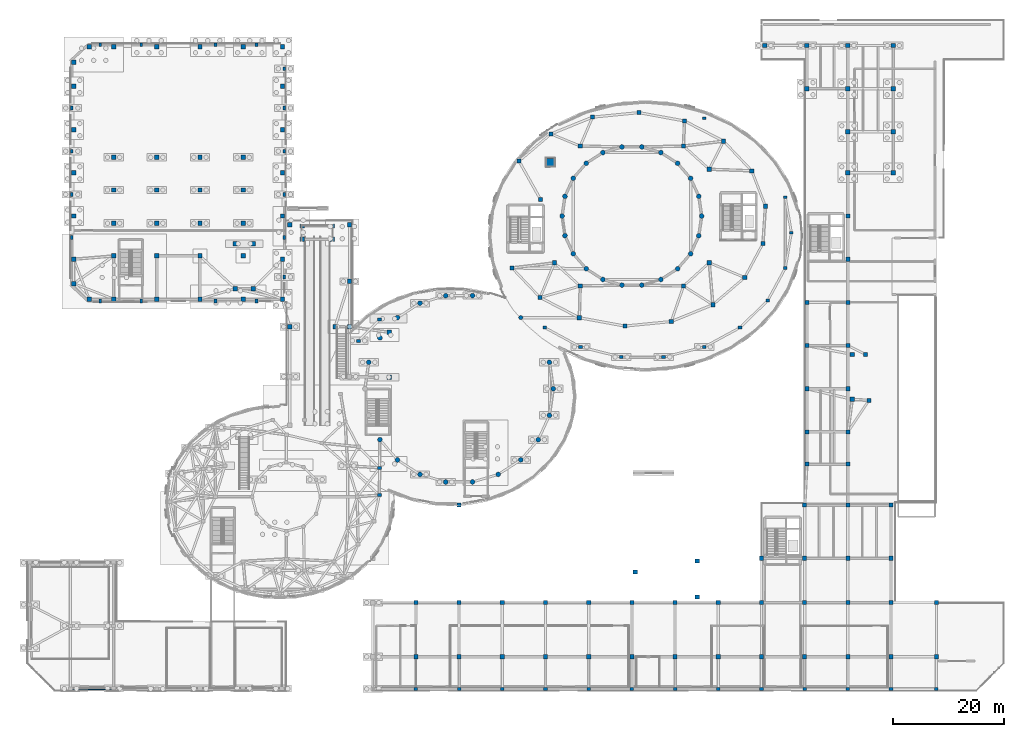
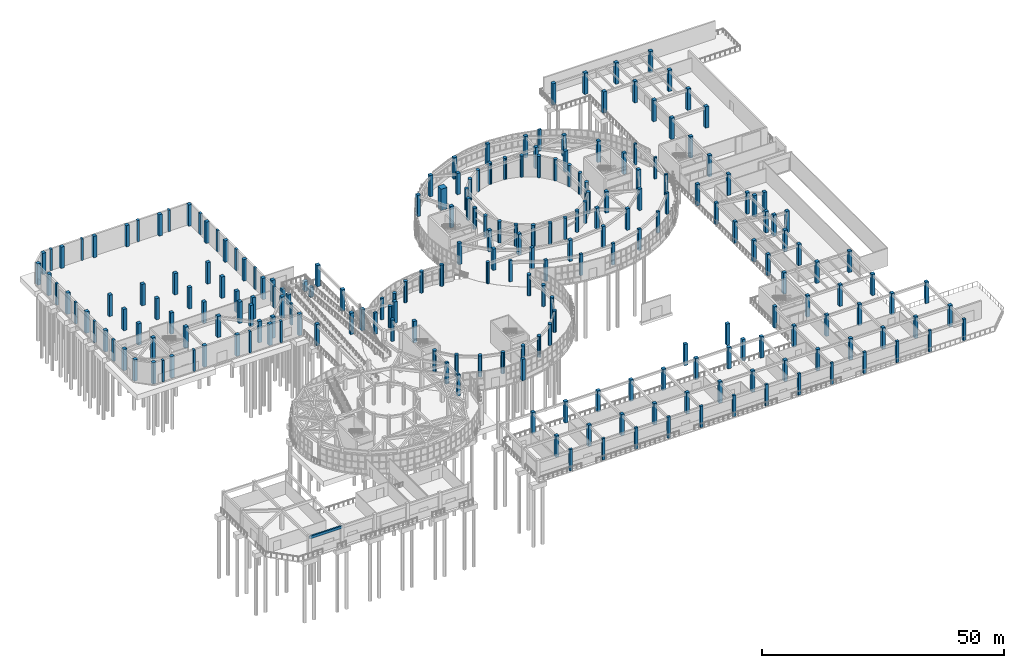
# One storey, part 4 of 96: 231 columns, 1 beam.
"""IFC4 building model written with IfcOpenShell, lengths in metres."""

from ifc_helpers import new_model, si_unit, direction, frame, origin, origin_2d, place, context, subcontext, project, spatial, rectangle, circle, extrude, material, material_profile, profile_set, type_object, element, save


model = new_model("IFC4")

# Units and contexts
model_context = context("Model", 3, precision=1e-05, world=origin(), true_north=direction((0.0, 1.0)))
body_context = subcontext(model_context, "Body", "Model", "MODEL_VIEW")
ifc_project = project(units=[si_unit("LENGTHUNIT", "METRE"), si_unit("AREAUNIT", "SQUARE_METRE"), si_unit("VOLUMEUNIT", "CUBIC_METRE"), si_unit("PLANEANGLEUNIT", "RADIAN"), si_unit("MASSUNIT", "GRAM", prefix="KILO")], contexts=[model_context])

# Site, building, storey
site_placement = place(None, origin())
site = spatial("IfcSite", under=ifc_project, at=site_placement, CompositionType="ELEMENT")
building_placement = place(site_placement, origin())
building = spatial("IfcBuilding", under=site, at=building_placement, Name="Pelvatis Terrace Science Centre", CompositionType="ELEMENT")
storey_placement = place(building_placement, origin())
storey = spatial("IfcBuildingStorey", under=building, at=storey_placement, Name="L00", CompositionType="ELEMENT", Elevation=0.0)

# Columns
ifc_material_1 = material(Name="Concrete C40/50", Category="concrete")
ifc_material_profile_1 = material_profile(ifc_material_1, rectangle(XDim=1.39990234375, YDim=1.39990234375, at=origin_2d()), Name="RC-COL 1400x1400")
ifc_profile_set_1 = profile_set([ifc_material_profile_1], Name="Concrete C40/50")
column_type_1 = type_object("IfcColumnType", Name="COL-PIER-1400", PredefinedType="COLUMN", material=ifc_profile_set_1)
column_1_placement = place(storey_placement, frame((94.5, 95.5, 0.0), z_axis=(0.0, 0.0, 1.0), x_axis=(1.0, 0.0, 0.0)))
element("IfcColumn", 1, at=column_1_placement, inside=storey, type_object=column_type_1, Name="Column PIER-OBS (L00)", PredefinedType="COLUMN", context=body_context, shape_type="SweptSolid", body=[
    extrude(rectangle(XDim=1.39990234375, YDim=1.39990234375, at=origin_2d()), origin(), (0.0, 0.0, 1.0), 5.39990234375),
])
ifc_material_2 = material(Name="Concrete C40/50", Category="concrete")
ifc_material_profile_2 = material_profile(ifc_material_2, rectangle(XDim=0.64990234375, YDim=0.5, at=origin_2d()), Name="RC-COL 650x500")
ifc_profile_set_2 = profile_set([ifc_material_profile_2], Name="Concrete C40/50")
column_type_2 = type_object("IfcColumnType", Name="COL-RC-650x500", PredefinedType="COLUMN", material=ifc_profile_set_2)
for number, where, z_axis, x_axis, name in (
    (2, (138.0, 82.800048828125, 0.0), (0.0, 0.0, 1.0), (1.0, 0.0, 0.0), "Column V1E-ST-01 (L00)"),
    (3, (136.910400390625, 89.1953125, 0.0), (0.0, 0.0, 1.0), (1.0, 0.0, 0.0), "Column V1E-ST-02 (L00)"),
    (4, (122.274658203125, 103.448486328125, 0.0), (0.0, 0.0, 1.0), (1.0, 0.0, 0.0), "Column V1E-ST-05 (L00)"),
    (5, (93.484130859375, 65.64453125, 0.0), (0.0, 0.0, 1.0), (1.0, 0.0, 0.0), "Column V1E-ST-15 (L00)"),
    (6, (128.7158203125, 65.64453125, 0.0), (0.0, 0.0, 1.0), (1.0, 0.0, 0.0), "Column V1E-ST-20 (L00)"),
    (7, (133.729736328125, 70.527587890625, 0.0), (0.0, 0.0, 1.0), (1.0, 0.0, 0.0), "Column V1E-ST-21 (L00)"),
    (8, (136.910400390625, 76.40478515625, 0.0), (0.0, 0.0, 1.0), (1.0, 0.0, 0.0), "Column V1E-ST-22 (L00)"),
    (9, (70.199951171875, 0.39990234375, 0.0), (0.0, 0.0, 1.0), (1.0, 0.0, 0.0), "Column V5G-S-2-1 (L00)"),
    (10, (78.0, 0.39990234375, 0.0), (0.0, 0.0, 1.0), (1.0, 0.0, 0.0), "Column V5G-S-3-1 (L00)"),
    (11, (85.800048828125, 0.39990234375, 0.0), (0.0, 0.0, 1.0), (1.0, 0.0, 0.0), "Column V5G-S-4-1 (L00)"),
    (12, (93.60009765625, 0.39990234375, 0.0), (0.0, 0.0, 1.0), (1.0, 0.0, 0.0), "Column V5G-S-5-1 (L00)"),
    (13, (101.39990234375, 0.39990234375, 0.0), (0.0, 0.0, 1.0), (1.0, 0.0, 0.0), "Column V5G-S-6-1 (L00)"),
    (14, (109.199951171875, 0.39990234375, 0.0), (0.0, 0.0, 1.0), (1.0, 0.0, 0.0), "Column V5G-S-7-1 (L00)"),
    (15, (117.0, 0.39990234375, 0.0), (0.0, 0.0, 1.0), (1.0, 0.0, 0.0), "Column V5G-S-8-1 (L00)"),
    (16, (124.800048828125, 0.39990234375, 0.0), (0.0, 0.0, 1.0), (1.0, 0.0, 0.0), "Column V5G-S-9-1 (L00)"),
    (17, (132.60009765625, 0.39990234375, 0.0), (0.0, 0.0, 1.0), (1.0, 0.0, 0.0), "Column V5G-S-10-1 (L00)"),
    (18, (140.39990234375, 0.39990234375, 0.0), (0.0, 0.0, 1.0), (1.0, 0.0, 0.0), "Column V5G-S-11-1 (L00)"),
    (19, (148.199951171875, 0.39990234375, 0.0), (0.0, 0.0, 1.0), (1.0, 0.0, 0.0), "Column V5G-S-12-1 (L00)"),
    (20, (156.0, 0.39990234375, 0.0), (0.0, 0.0, 1.0), (1.0, 0.0, 0.0), "Column V5G-S-13-1 (L00)"),
    (21, (164.199951171875, 0.39990234375, 0.0), (0.0, 0.0, 1.0), (1.0, 0.0, 0.0), "Column V5G-S-14-1 (L00)"),
):
    element("IfcColumn", number, at=place(storey_placement, frame(where, z_axis=z_axis, x_axis=x_axis)), inside=storey, type_object=column_type_2, Name=name, PredefinedType="COLUMN", context=body_context, shape_type="SweptSolid", body=[
        extrude(rectangle(XDim=0.64990234375, YDim=0.5, at=origin_2d()), origin(), (0.0, 0.0, 1.0), 5.39990234375),
    ])
ifc_material_3 = material(Name="Concrete C40/50", Category="concrete")
ifc_material_profile_3 = material_profile(ifc_material_3, rectangle(XDim=0.699951171875, YDim=0.550048828125, at=origin_2d()), Name="RC-COL 700x550")
ifc_profile_set_3 = profile_set([ifc_material_profile_3], Name="Concrete C40/50")
column_type_3 = type_object("IfcColumnType", Name="COL-RC-700x550", PredefinedType="COLUMN", material=ifc_profile_set_3)
for number, where, z_axis, x_axis, name in (
    (22, (99.92529296875, 62.1513671875, 0.0), (0.0, 0.0, 1.0), (1.0, 0.0, 0.0), "Column V1E-ST-16 (L00)"),
    (23, (107.271728515625, 60.3310546875, 0.0), (0.0, 0.0, 1.0), (1.0, 0.0, 0.0), "Column V1E-ST-17 (L00)"),
    (24, (114.92822265625, 60.3310546875, 0.0), (0.0, 0.0, 1.0), (1.0, 0.0, 0.0), "Column V1E-ST-18 (L00)"),
    (25, (122.274658203125, 62.1513671875, 0.0), (0.0, 0.0, 1.0), (1.0, 0.0, 0.0), "Column V1E-ST-19 (L00)"),
    (26, (63.640869140625, 67.076904296875, 0.0), (0.0, 0.0, 1.0), (1.0, 0.0, 0.0), "Column V2E-B-09 (L00)"),
    (27, (59.83837890625, 63.269287109375, 0.0), (0.0, 0.0, 1.0), (1.0, 0.0, 0.0), "Column V2E-B-10 (L00)"),
    (28, (63.640869140625, 40.3232421875, 0.0), (0.0, 0.0, 1.0), (1.0, 0.0, 0.0), "Column V2E-B-15 (L00)"),
    (29, (63.60009765625, 35.39990234375, 0.0), (0.0, 0.0, 1.0), (1.0, 0.0, 0.0), "Column V3E-A-01 (L00)"),
):
    element("IfcColumn", number, at=place(storey_placement, frame(where, z_axis=z_axis, x_axis=x_axis)), inside=storey, type_object=column_type_3, Name=name, PredefinedType="COLUMN", context=body_context, shape_type="SweptSolid", body=[
        extrude(rectangle(XDim=0.699951171875, YDim=0.550048828125, at=origin_2d()), origin(), (0.0, 0.0, 1.0), 5.39990234375),
    ])
ifc_material_4 = material(Name="Concrete C40/50", Category="concrete")
ifc_material_profile_4 = material_profile(ifc_material_4, rectangle(XDim=0.75, YDim=0.75, at=origin_2d()), Name="RC-COL 750x750")
ifc_profile_set_4 = profile_set([ifc_material_profile_4], Name="Concrete C40/50")
column_type_4 = type_object("IfcColumnType", Name="COL-RC-750x750", PredefinedType="COLUMN", material=ifc_profile_set_4)
for number, where, z_axis, x_axis, name in (
    (30, (133.31884765625, 87.552001953125, 0.0), (0.0, 0.0, 1.0), (1.0, 0.0, 0.0), "Column V1E-RF-01 (L00)"),
    (31, (130.8515625, 93.9619140625, 0.0), (0.0, 0.0, 1.0), (1.0, 0.0, 0.0), "Column V1E-RF-02 (L00)"),
    (32, (125.772705078125, 99.315185546875, 0.0), (0.0, 0.0, 1.0), (1.0, 0.0, 0.0), "Column V1E-RF-03 (L00)"),
    (33, (118.69482421875, 102.9658203125, 0.0), (0.0, 0.0, 1.0), (1.0, 0.0, 0.0), "Column V1E-RF-04 (L00)"),
    (34, (110.4716796875, 104.4736328125, 0.0), (0.0, 0.0, 1.0), (1.0, 0.0, 0.0), "Column V1E-RF-05 (L00)"),
    (35, (102.095458984375, 103.65673828125, 0.0), (0.0, 0.0, 1.0), (1.0, 0.0, 0.0), "Column V1E-RF-06 (L00)"),
    (36, (94.575927734375, 100.61376953125, 0.0), (0.0, 0.0, 1.0), (1.0, 0.0, 0.0), "Column V1E-RF-07 (L00)"),
    (37, (88.8203125, 95.71142578125, 0.0), (0.0, 0.0, 1.0), (1.0, 0.0, 0.0), "Column V1E-RF-08 (L00)"),
    (38, (87.548583984375, 76.43798828125, 0.0), (0.0, 0.0, 1.0), (1.0, 0.0, 0.0), "Column V1E-RF-11 (L00)"),
    (39, (92.62744140625, 71.0849609375, 0.0), (0.0, 0.0, 1.0), (1.0, 0.0, 0.0), "Column V1E-RF-12 (L00)"),
    (40, (99.705078125, 67.434326171875, 0.0), (0.0, 0.0, 1.0), (1.0, 0.0, 0.0), "Column V1E-RF-13 (L00)"),
    (41, (107.92822265625, 65.926513671875, 0.0), (0.0, 0.0, 1.0), (1.0, 0.0, 0.0), "Column V1E-RF-14 (L00)"),
    (42, (116.3046875, 66.743408203125, 0.0), (0.0, 0.0, 1.0), (1.0, 0.0, 0.0), "Column V1E-RF-15 (L00)"),
    (43, (123.82421875, 69.786376953125, 0.0), (0.0, 0.0, 1.0), (1.0, 0.0, 0.0), "Column V1E-RF-16 (L00)"),
    (44, (129.57958984375, 74.6884765625, 0.0), (0.0, 0.0, 1.0), (1.0, 0.0, 0.0), "Column V1E-RF-17 (L00)"),
    (45, (132.877197265625, 80.8583984375, 0.0), (0.0, 0.0, 1.0), (1.0, 0.0, 0.0), "Column V1E-RF-18 (L00)"),
    (46, (123.168701171875, 94.24462890625, 0.0), (0.0, 0.0, 1.0), (1.0, 0.0, 0.0), "Column V1E-IN-02 (L00)"),
    (47, (118.53369140625, 98.438232421875, 0.0), (0.0, 0.0, 1.0), (1.0, 0.0, 0.0), "Column V1E-IN-03 (L00)"),
    (48, (99.866455078125, 98.438232421875, 0.0), (0.0, 0.0, 1.0), (1.0, 0.0, 0.0), "Column V1E-IN-06 (L00)"),
    (49, (92.722900390625, 88.765380859375, 0.0), (0.0, 0.0, 1.0), (1.0, 0.0, 0.0), "Column V1E-IN-08 (L00)"),
    (50, (95.231201171875, 77.355224609375, 0.0), (0.0, 0.0, 1.0), (1.0, 0.0, 0.0), "Column V1E-IN-10 (L00)"),
    (51, (99.866455078125, 73.16162109375, 0.0), (0.0, 0.0, 1.0), (1.0, 0.0, 0.0), "Column V1E-IN-11 (L00)"),
    (52, (118.53369140625, 73.16162109375, 0.0), (0.0, 0.0, 1.0), (1.0, 0.0, 0.0), "Column V1E-IN-14 (L00)"),
    (53, (123.168701171875, 77.355224609375, 0.0), (0.0, 0.0, 1.0), (1.0, 0.0, 0.0), "Column V1E-IN-15 (L00)"),
    (54, (70.199951171875, 6.199951171875, 0.0), (0.0, 0.0, 1.0), (1.0, 0.0, 0.0), "Column V5G-S-2-2 (L00)"),
    (55, (70.199951171875, 16.0, 0.0), (0.0, 0.0, 1.0), (1.0, 0.0, 0.0), "Column V5G-S-2-3 (L00)"),
    (56, (78.0, 6.199951171875, 0.0), (0.0, 0.0, 1.0), (1.0, 0.0, 0.0), "Column V5G-S-3-2 (L00)"),
    (57, (78.0, 16.0, 0.0), (0.0, 0.0, 1.0), (1.0, 0.0, 0.0), "Column V5G-S-3-3 (L00)"),
    (58, (78.0, 33.60009765625, 0.0), (0.0, 0.0, 1.0), (1.0, 0.0, 0.0), "Column V5G-S-3-5 (L00)"),
    (59, (85.800048828125, 6.199951171875, 0.0), (0.0, 0.0, 1.0), (1.0, 0.0, 0.0), "Column V5G-S-4-2 (L00)"),
    (60, (85.800048828125, 16.0, 0.0), (0.0, 0.0, 1.0), (1.0, 0.0, 0.0), "Column V5G-S-4-3 (L00)"),
    (61, (93.60009765625, 6.199951171875, 0.0), (0.0, 0.0, 1.0), (1.0, 0.0, 0.0), "Column V5G-S-5-2 (L00)"),
    (62, (93.60009765625, 16.0, 0.0), (0.0, 0.0, 1.0), (1.0, 0.0, 0.0), "Column V5G-S-5-3 (L00)"),
    (63, (101.39990234375, 6.199951171875, 0.0), (0.0, 0.0, 1.0), (1.0, 0.0, 0.0), "Column V5G-S-6-2 (L00)"),
    (64, (101.39990234375, 16.0, 0.0), (0.0, 0.0, 1.0), (1.0, 0.0, 0.0), "Column V5G-S-6-3 (L00)"),
    (65, (109.199951171875, 6.199951171875, 0.0), (0.0, 0.0, 1.0), (1.0, 0.0, 0.0), "Column V5G-S-7-2 (L00)"),
    (66, (109.199951171875, 16.0, 0.0), (0.0, 0.0, 1.0), (1.0, 0.0, 0.0), "Column V5G-S-7-3 (L00)"),
    (67, (117.0, 6.199951171875, 0.0), (0.0, 0.0, 1.0), (1.0, 0.0, 0.0), "Column V5G-S-8-2 (L00)"),
    (68, (117.0, 16.0, 0.0), (0.0, 0.0, 1.0), (1.0, 0.0, 0.0), "Column V5G-S-8-3 (L00)"),
    (69, (124.800048828125, 6.199951171875, 0.0), (0.0, 0.0, 1.0), (1.0, 0.0, 0.0), "Column V5G-S-9-2 (L00)"),
    (70, (124.800048828125, 16.0, 0.0), (0.0, 0.0, 1.0), (1.0, 0.0, 0.0), "Column V5G-S-9-3 (L00)"),
    (71, (132.60009765625, 6.199951171875, 0.0), (0.0, 0.0, 1.0), (1.0, 0.0, 0.0), "Column V5G-S-10-2 (L00)"),
    (72, (132.60009765625, 16.0, 0.0), (0.0, 0.0, 1.0), (1.0, 0.0, 0.0), "Column V5G-S-10-3 (L00)"),
    (73, (132.60009765625, 24.0, 0.0), (0.0, 0.0, 1.0), (1.0, 0.0, 0.0), "Column V5G-S-10-4 (L00)"),
    (74, (140.39990234375, 6.199951171875, 0.0), (0.0, 0.0, 1.0), (1.0, 0.0, 0.0), "Column V5G-S-11-2 (L00)"),
    (75, (140.39990234375, 16.0, 0.0), (0.0, 0.0, 1.0), (1.0, 0.0, 0.0), "Column V5G-S-11-3 (L00)"),
    (76, (140.39990234375, 24.0, 0.0), (0.0, 0.0, 1.0), (1.0, 0.0, 0.0), "Column V5G-S-11-4 (L00)"),
    (77, (140.39990234375, 33.60009765625, 0.0), (0.0, 0.0, 1.0), (1.0, 0.0, 0.0), "Column V5G-S-11-5 (L00)"),
    (78, (148.199951171875, 6.199951171875, 0.0), (0.0, 0.0, 1.0), (1.0, 0.0, 0.0), "Column V5G-S-12-2 (L00)"),
    (79, (148.199951171875, 16.0, 0.0), (0.0, 0.0, 1.0), (1.0, 0.0, 0.0), "Column V5G-S-12-3 (L00)"),
    (80, (148.199951171875, 24.0, 0.0), (0.0, 0.0, 1.0), (1.0, 0.0, 0.0), "Column V5G-S-12-4 (L00)"),
    (81, (148.199951171875, 33.60009765625, 0.0), (0.0, 0.0, 1.0), (1.0, 0.0, 0.0), "Column V5G-S-12-5 (L00)"),
    (82, (156.0, 6.199951171875, 0.0), (0.0, 0.0, 1.0), (1.0, 0.0, 0.0), "Column V5G-S-13-2 (L00)"),
    (83, (156.0, 16.0, 0.0), (0.0, 0.0, 1.0), (1.0, 0.0, 0.0), "Column V5G-S-13-3 (L00)"),
    (84, (156.0, 24.0, 0.0), (0.0, 0.0, 1.0), (1.0, 0.0, 0.0), "Column V5G-S-13-4 (L00)"),
    (85, (156.0, 33.60009765625, 0.0), (0.0, 0.0, 1.0), (1.0, 0.0, 0.0), "Column V5G-S-13-5 (L00)"),
    (86, (164.199951171875, 6.199951171875, 0.0), (0.0, 0.0, 1.0), (1.0, 0.0, 0.0), "Column V5G-S-14-2 (L00)"),
    (87, (164.199951171875, 16.0, 0.0), (0.0, 0.0, 1.0), (1.0, 0.0, 0.0), "Column V5G-S-14-3 (L00)"),
    (88, (140.800048828125, 41.0, 0.0), (0.0, 0.0, 1.0), (1.0, 0.0, 0.0), "Column V5G-E-2-1 (L00)"),
    (89, (140.800048828125, 46.800048828125, 0.0), (0.0, 0.0, 1.0), (1.0, 0.0, 0.0), "Column V5G-E-2-2 (L00)"),
    (90, (140.800048828125, 54.60009765625, 0.0), (0.0, 0.0, 1.0), (1.0, 0.0, 0.0), "Column V5G-E-2-3 (L00)"),
    (91, (140.800048828125, 62.39990234375, 0.0), (0.0, 0.0, 1.0), (1.0, 0.0, 0.0), "Column V5G-E-2-4 (L00)"),
    (92, (140.800048828125, 70.199951171875, 0.0), (0.0, 0.0, 1.0), (1.0, 0.0, 0.0), "Column V5G-E-2-5 (L00)"),
    (93, (148.199951171875, 41.0, 0.0), (0.0, 0.0, 1.0), (1.0, 0.0, 0.0), "Column V5G-E-3-1 (L00)"),
    (94, (148.199951171875, 46.800048828125, 0.0), (0.0, 0.0, 1.0), (1.0, 0.0, 0.0), "Column V5G-E-3-2 (L00)"),
    (95, (148.199951171875, 54.60009765625, 0.0), (0.0, 0.0, 1.0), (1.0, 0.0, 0.0), "Column V5G-E-3-3 (L00)"),
    (96, (148.199951171875, 62.39990234375, 0.0), (0.0, 0.0, 1.0), (1.0, 0.0, 0.0), "Column V5G-E-3-4 (L00)"),
    (97, (148.199951171875, 70.199951171875, 0.0), (0.0, 0.0, 1.0), (1.0, 0.0, 0.0), "Column V5G-E-3-5 (L00)"),
    (98, (148.199951171875, 78.0, 0.0), (0.0, 0.0, 1.0), (1.0, 0.0, 0.0), "Column V5G-E-3-6 (L00)"),
    (99, (148.199951171875, 85.800048828125, 0.0), (0.0, 0.0, 1.0), (1.0, 0.0, 0.0), "Column V5G-E-3-7 (L00)"),
    (100, (121.0, 17.0, 0.0), (0.0, 0.0, 1.0), (1.0, 0.0, 0.0), "Column SUPR2-16 (L00)"),
    (101, (109.800048828125, 21.5, 0.0), (0.0, 0.0, 1.0), (1.0, 0.0, 0.0), "Column SUPR2-18 (L00)"),
    (102, (121.0, 23.5, 0.0), (0.0, 0.0, 1.0), (1.0, 0.0, 0.0), "Column SUPR2-19 (L00)"),
    (103, (152.0, 52.5, 0.0), (0.0, 0.0, 1.0), (1.0, 0.0, 0.0), "Column SUPR2-21 (L00)"),
    (104, (149.0, 52.699951171875, 0.0), (0.0, 0.0, 1.0), (1.0, 0.0, 0.0), "Column SUPR2-35 (L00)"),
    (105, (149.0, 60.800048828125, 0.0), (0.0, 0.0, 1.0), (1.0, 0.0, 0.0), "Column SUPR2-37 (L00)"),
    (106, (151.39990234375, 60.800048828125, 0.0), (0.0, 0.0, 1.0), (1.0, 0.0, 0.0), "Column SUPR2-38 (L00)"),
):
    element("IfcColumn", number, at=place(storey_placement, frame(where, z_axis=z_axis, x_axis=x_axis)), inside=storey, type_object=column_type_4, Name=name, PredefinedType="COLUMN", context=body_context, shape_type="SweptSolid", body=[
        extrude(rectangle(XDim=0.75, YDim=0.75, at=origin_2d()), origin(), (0.0, 0.0, 1.0), 5.39990234375),
    ])
ifc_material_5 = material(Name="Concrete C40/50", Category="concrete")
ifc_material_profile_5 = material_profile(ifc_material_5, rectangle(XDim=0.800048828125, YDim=0.800048828125, at=origin_2d()), Name="RC-COL 800x800")
ifc_profile_set_5 = profile_set([ifc_material_profile_5], Name="Concrete C40/50")
column_type_5 = type_object("IfcColumnType", Name="COL-RC-800x800", PredefinedType="COLUMN", material=ifc_profile_set_5)
for number, where, z_axis, x_axis, name in (
    (107, (11.199951171875, 70.800048828125, 0.0), (0.0, 0.0, 1.0), (1.0, 0.0, 0.0), "Column V4I-1-1 (L00)"),
    (108, (8.39990234375, 78.0, 0.0), (0.0, 0.0, 1.0), (1.0, 0.0, 0.0), "Column V4I-1-2 (L00)"),
    (109, (8.39990234375, 85.800048828125, 0.0), (0.0, 0.0, 1.0), (1.0, 0.0, 0.0), "Column V4I-1-3 (L00)"),
    (110, (8.39990234375, 93.60009765625, 0.0), (0.0, 0.0, 1.0), (1.0, 0.0, 0.0), "Column V4I-1-4 (L00)"),
    (111, (8.39990234375, 101.39990234375, 0.0), (0.0, 0.0, 1.0), (1.0, 0.0, 0.0), "Column V4I-1-5 (L00)"),
    (112, (8.39990234375, 109.199951171875, 0.0), (0.0, 0.0, 1.0), (1.0, 0.0, 0.0), "Column V4I-1-6 (L00)"),
    (113, (11.199951171875, 116.39990234375, 0.0), (0.0, 0.0, 1.0), (1.0, 0.0, 0.0), "Column V4I-1-7 (L00)"),
    (114, (15.60009765625, 70.800048828125, 0.0), (0.0, 0.0, 1.0), (1.0, 0.0, 0.0), "Column V4I-2-1 (L00)"),
    (115, (15.60009765625, 116.39990234375, 0.0), (0.0, 0.0, 1.0), (1.0, 0.0, 0.0), "Column V4I-2-7 (L00)"),
    (116, (23.39990234375, 70.800048828125, 0.0), (0.0, 0.0, 1.0), (1.0, 0.0, 0.0), "Column V4I-3-1 (L00)"),
    (117, (23.39990234375, 116.39990234375, 0.0), (0.0, 0.0, 1.0), (1.0, 0.0, 0.0), "Column V4I-3-7 (L00)"),
    (118, (31.199951171875, 70.800048828125, 0.0), (0.0, 0.0, 1.0), (1.0, 0.0, 0.0), "Column V4I-4-1 (L00)"),
    (119, (31.199951171875, 116.39990234375, 0.0), (0.0, 0.0, 1.0), (1.0, 0.0, 0.0), "Column V4I-4-7 (L00)"),
    (120, (39.0, 70.800048828125, 0.0), (0.0, 0.0, 1.0), (1.0, 0.0, 0.0), "Column V4I-5-1 (L00)"),
    (121, (39.0, 116.39990234375, 0.0), (0.0, 0.0, 1.0), (1.0, 0.0, 0.0), "Column V4I-5-7 (L00)"),
    (122, (46.10009765625, 70.800048828125, 0.0), (0.0, 0.0, 1.0), (1.0, 0.0, 0.0), "Column V4I-6-1 (L00)"),
    (123, (46.10009765625, 78.0, 0.0), (0.0, 0.0, 1.0), (1.0, 0.0, 0.0), "Column V4I-6-2 (L00)"),
    (124, (46.10009765625, 85.800048828125, 0.0), (0.0, 0.0, 1.0), (1.0, 0.0, 0.0), "Column V4I-6-3 (L00)"),
    (125, (46.10009765625, 93.60009765625, 0.0), (0.0, 0.0, 1.0), (1.0, 0.0, 0.0), "Column V4I-6-4 (L00)"),
    (126, (46.10009765625, 101.39990234375, 0.0), (0.0, 0.0, 1.0), (1.0, 0.0, 0.0), "Column V4I-6-5 (L00)"),
    (127, (46.10009765625, 109.199951171875, 0.0), (0.0, 0.0, 1.0), (1.0, 0.0, 0.0), "Column V4I-6-6 (L00)"),
    (128, (46.10009765625, 116.39990234375, 0.0), (0.0, 0.0, 1.0), (1.0, 0.0, 0.0), "Column V4I-6-7 (L00)"),
    (129, (8.39990234375, 73.60009765625, 0.0), (0.0, 0.0, 1.0), (1.0, 0.0, 0.0), "Column V4I-CH-S (L00)"),
    (130, (8.39990234375, 113.60009765625, 0.0), (0.0, 0.0, 1.0), (1.0, 0.0, 0.0), "Column V4I-CH-N (L00)"),
    (131, (15.60009765625, 78.60009765625, 0.0), (0.0, 0.0, 1.0), (1.0, 0.0, 0.0), "Column V4RK-A1 (L00)"),
    (132, (15.60009765625, 84.5, 0.0), (0.0, 0.0, 1.0), (1.0, 0.0, 0.0), "Column V4RK-B1 (L00)"),
    (133, (15.60009765625, 90.5, 0.0), (0.0, 0.0, 1.0), (1.0, 0.0, 0.0), "Column V4RK-C1 (L00)"),
    (134, (15.60009765625, 96.39990234375, 0.0), (0.0, 0.0, 1.0), (1.0, 0.0, 0.0), "Column V4RK-D1 (L00)"),
    (135, (23.39990234375, 78.60009765625, 0.0), (0.0, 0.0, 1.0), (1.0, 0.0, 0.0), "Column V4RK-A2 (L00)"),
    (136, (23.39990234375, 84.5, 0.0), (0.0, 0.0, 1.0), (1.0, 0.0, 0.0), "Column V4RK-B2 (L00)"),
    (137, (23.39990234375, 90.5, 0.0), (0.0, 0.0, 1.0), (1.0, 0.0, 0.0), "Column V4RK-C2 (L00)"),
    (138, (23.39990234375, 96.39990234375, 0.0), (0.0, 0.0, 1.0), (1.0, 0.0, 0.0), "Column V4RK-D2 (L00)"),
    (139, (31.199951171875, 78.60009765625, 0.0), (0.0, 0.0, 1.0), (1.0, 0.0, 0.0), "Column V4RK-A3 (L00)"),
    (140, (31.199951171875, 84.5, 0.0), (0.0, 0.0, 1.0), (1.0, 0.0, 0.0), "Column V4RK-B3 (L00)"),
    (141, (31.199951171875, 90.5, 0.0), (0.0, 0.0, 1.0), (1.0, 0.0, 0.0), "Column V4RK-C3 (L00)"),
    (142, (31.199951171875, 96.39990234375, 0.0), (0.0, 0.0, 1.0), (1.0, 0.0, 0.0), "Column V4RK-D3 (L00)"),
    (143, (39.0, 78.60009765625, 0.0), (0.0, 0.0, 1.0), (1.0, 0.0, 0.0), "Column V4RK-A4 (L00)"),
    (144, (39.0, 84.5, 0.0), (0.0, 0.0, 1.0), (1.0, 0.0, 0.0), "Column V4RK-B4 (L00)"),
    (145, (39.0, 90.5, 0.0), (0.0, 0.0, 1.0), (1.0, 0.0, 0.0), "Column V4RK-C4 (L00)"),
    (146, (39.0, 96.39990234375, 0.0), (0.0, 0.0, 1.0), (1.0, 0.0, 0.0), "Column V4RK-D4 (L00)"),
    (147, (133.199951171875, 116.60009765625, 0.0), (0.0, 0.0, 1.0), (1.0, 0.0, 0.0), "Column V5G-E-1-11 (L00)"),
    (148, (140.800048828125, 108.800048828125, 0.0), (0.0, 0.0, 1.0), (1.0, 0.0, 0.0), "Column V5G-E-2-10 (L00)"),
    (149, (140.800048828125, 116.60009765625, 0.0), (0.0, 0.0, 1.0), (1.0, 0.0, 0.0), "Column V5G-E-2-11 (L00)"),
    (150, (148.199951171875, 93.60009765625, 0.0), (0.0, 0.0, 1.0), (1.0, 0.0, 0.0), "Column V5G-E-3-8 (L00)"),
    (151, (148.199951171875, 101.0, 0.0), (0.0, 0.0, 1.0), (1.0, 0.0, 0.0), "Column V5G-E-3-9 (L00)"),
    (152, (148.199951171875, 108.800048828125, 0.0), (0.0, 0.0, 1.0), (1.0, 0.0, 0.0), "Column V5G-E-3-10 (L00)"),
    (153, (148.199951171875, 116.60009765625, 0.0), (0.0, 0.0, 1.0), (1.0, 0.0, 0.0), "Column V5G-E-3-11 (L00)"),
    (154, (156.39990234375, 93.60009765625, 0.0), (0.0, 0.0, 1.0), (1.0, 0.0, 0.0), "Column V5G-E-4-8 (L00)"),
    (155, (156.39990234375, 101.0, 0.0), (0.0, 0.0, 1.0), (1.0, 0.0, 0.0), "Column V5G-E-4-9 (L00)"),
    (156, (156.39990234375, 108.800048828125, 0.0), (0.0, 0.0, 1.0), (1.0, 0.0, 0.0), "Column V5G-E-4-10 (L00)"),
    (157, (156.39990234375, 116.60009765625, 0.0), (0.0, 0.0, 1.0), (1.0, 0.0, 0.0), "Column V5G-E-4-11 (L00)"),
    (158, (47.39990234375, 65.800048828125, 0.0), (0.0, 0.0, 1.0), (1.0, 0.0, 0.0), "Column SUPR2-05 (L00)"),
    (159, (58.199951171875, 65.800048828125, 0.0), (0.0, 0.0, 1.0), (1.0, 0.0, 0.0), "Column SUPR2-06 (L00)"),
    (160, (58.199951171875, 74.0, 0.0), (0.0, 0.0, 1.0), (1.0, 0.0, 0.0), "Column SUPR2-08 (L00)"),
    (161, (47.39990234375, 84.199951171875, 0.0), (0.0, 0.0, 1.0), (1.0, 0.0, 0.0), "Column SUPR2-09 (L00)"),
    (162, (58.199951171875, 84.199951171875, 0.0), (0.0, 0.0, 1.0), (1.0, 0.0, 0.0), "Column SUPR2-10 (L00)"),
):
    element("IfcColumn", number, at=place(storey_placement, frame(where, z_axis=z_axis, x_axis=x_axis)), inside=storey, type_object=column_type_5, Name=name, PredefinedType="COLUMN", context=body_context, shape_type="SweptSolid", body=[
        extrude(rectangle(XDim=0.800048828125, YDim=0.800048828125, at=origin_2d()), origin(), (0.0, 0.0, 1.0), 5.39990234375),
    ])
for number, where, z_axis, x_axis, name in (
    (163, (49.699951171875, 81.60009765625, 0.0), (0.0, 0.0, 1.0), (1.0, 0.0, 0.0), "Column SUPR2-11 (L00)"),
    (164, (55.10009765625, 81.60009765625, 0.0), (0.0, 0.0, 1.0), (1.0, 0.0, 0.0), "Column SUPR2-12 (L00)"),
    (165, (49.699951171875, 84.0, 0.0), (0.0, 0.0, 1.0), (1.0, 0.0, 0.0), "Column SUPR2-13 (L00)"),
    (166, (55.10009765625, 84.0, 0.0), (0.0, 0.0, 1.0), (1.0, 0.0, 0.0), "Column SUPR2-14 (L00)"),
):
    element("IfcColumn", number, at=place(storey_placement, frame(where, z_axis=z_axis, x_axis=x_axis)), inside=storey, type_object=column_type_5, Name=name, PredefinedType="COLUMN", context=body_context, shape_type="SweptSolid", body=[
        extrude(rectangle(XDim=0.800048828125, YDim=0.800048828125, at=origin_2d()), origin(), (0.0, 0.0, 1.0), 2.485107421875),
    ])
for number, where, z_axis, x_axis, name in (
    (167, (55.60009765625, 65.800048828125, 0.0), (0.0, 0.0, 1.0), (1.0, 0.0, 0.0), "Column SUPR2-26 (L00)"),
    (168, (65.39990234375, 56.699951171875, 0.0), (0.0, 0.0, 1.0), (1.0, 0.0, 0.0), "Column SUPR2-28 (L00)"),
    (169, (65.39990234375, 64.800048828125, 0.0), (0.0, 0.0, 1.0), (1.0, 0.0, 0.0), "Column SUPR2-30 (L00)"),
    (170, (37.60009765625, 72.699951171875, 0.0), (0.0, 0.0, 1.0), (1.0, 0.0, 0.0), "Column SUPR2-31 (L00)"),
    (171, (40.800048828125, 72.699951171875, 0.0), (0.0, 0.0, 1.0), (1.0, 0.0, 0.0), "Column SUPR2-32 (L00)"),
    (172, (37.60009765625, 80.800048828125, 0.0), (0.0, 0.0, 1.0), (1.0, 0.0, 0.0), "Column SUPR2-33 (L00)"),
    (173, (40.800048828125, 80.800048828125, 0.0), (0.0, 0.0, 1.0), (1.0, 0.0, 0.0), "Column SUPR2-34 (L00)"),
):
    element("IfcColumn", number, at=place(storey_placement, frame(where, z_axis=z_axis, x_axis=x_axis)), inside=storey, type_object=column_type_5, Name=name, PredefinedType="COLUMN", context=body_context, shape_type="SweptSolid", body=[
        extrude(rectangle(XDim=0.800048828125, YDim=0.800048828125, at=origin_2d()), origin(), (0.0, 0.0, 1.0), 5.39990234375),
    ])
ifc_material_6 = material(Name="Concrete C40/50", Category="concrete")
ifc_material_profile_6 = material_profile(ifc_material_6, circle(Radius=0.375, at=origin_2d()), Name="RC-RCOL D750")
ifc_profile_set_6 = profile_set([ifc_material_profile_6], Name="Concrete C40/50")
column_type_6 = type_object("IfcColumnType", Name="COL-RND-D750", PredefinedType="COLUMN", material=ifc_profile_set_6)
column_2_placement = place(storey_placement, frame((89.132568359375, 67.44775390625, 0.0), z_axis=(0.0, 0.0, 1.0), x_axis=(1.0, 0.0, 0.0)))
element("IfcColumn", 174, at=column_2_placement, inside=storey, type_object=column_type_6, Name="Column V2B-04 (L00)", PredefinedType="COLUMN", context=body_context, shape_type="SweptSolid", body=[
    extrude(circle(Radius=0.375, at=origin_2d()), origin(), (0.0, 0.0, 1.0), 5.39990234375),
])
ifc_material_7 = material(Name="Concrete C40/50", Category="concrete")
ifc_material_profile_7 = material_profile(ifc_material_7, circle(Radius=0.425048828125, at=origin_2d()), Name="RC-RCOL D850")
ifc_profile_set_7 = profile_set([ifc_material_profile_7], Name="Concrete C40/50")
column_type_7 = type_object("IfcColumnType", Name="COL-RND-D850", PredefinedType="COLUMN", material=ifc_profile_set_7)
for number, where, z_axis, x_axis, name in (
    (175, (121.800048828125, 85.800048828125, 0.0), (0.0, 0.0, 1.0), (1.0, 0.0, 0.0), "Column V1D-01 (L00)"),
    (176, (121.28955078125, 89.349853515625, 0.0), (0.0, 0.0, 1.0), (1.0, 0.0, 0.0), "Column V1D-02 (L00)"),
    (177, (119.7998046875, 92.612060546875, 0.0), (0.0, 0.0, 1.0), (1.0, 0.0, 0.0), "Column V1D-03 (L00)"),
    (178, (117.451171875, 95.322509765625, 0.0), (0.0, 0.0, 1.0), (1.0, 0.0, 0.0), "Column V1D-04 (L00)"),
    (179, (114.43408203125, 97.261474609375, 0.0), (0.0, 0.0, 1.0), (1.0, 0.0, 0.0), "Column V1D-05 (L00)"),
    (180, (110.9931640625, 98.271728515625, 0.0), (0.0, 0.0, 1.0), (1.0, 0.0, 0.0), "Column V1D-06 (L00)"),
    (181, (107.40673828125, 98.271728515625, 0.0), (0.0, 0.0, 1.0), (1.0, 0.0, 0.0), "Column V1D-07 (L00)"),
    (182, (103.9658203125, 97.261474609375, 0.0), (0.0, 0.0, 1.0), (1.0, 0.0, 0.0), "Column V1D-08 (L00)"),
    (183, (100.94873046875, 95.322509765625, 0.0), (0.0, 0.0, 1.0), (1.0, 0.0, 0.0), "Column V1D-09 (L00)"),
    (184, (98.60009765625, 92.612060546875, 0.0), (0.0, 0.0, 1.0), (1.0, 0.0, 0.0), "Column V1D-10 (L00)"),
    (185, (97.1103515625, 89.349853515625, 0.0), (0.0, 0.0, 1.0), (1.0, 0.0, 0.0), "Column V1D-11 (L00)"),
    (186, (96.60009765625, 85.800048828125, 0.0), (0.0, 0.0, 1.0), (1.0, 0.0, 0.0), "Column V1D-12 (L00)"),
    (187, (97.1103515625, 82.250244140625, 0.0), (0.0, 0.0, 1.0), (1.0, 0.0, 0.0), "Column V1D-13 (L00)"),
    (188, (98.60009765625, 78.98779296875, 0.0), (0.0, 0.0, 1.0), (1.0, 0.0, 0.0), "Column V1D-14 (L00)"),
    (189, (100.94873046875, 76.277587890625, 0.0), (0.0, 0.0, 1.0), (1.0, 0.0, 0.0), "Column V1D-15 (L00)"),
    (190, (103.9658203125, 74.338623046875, 0.0), (0.0, 0.0, 1.0), (1.0, 0.0, 0.0), "Column V1D-16 (L00)"),
    (191, (107.40673828125, 73.328125, 0.0), (0.0, 0.0, 1.0), (1.0, 0.0, 0.0), "Column V1D-17 (L00)"),
    (192, (110.9931640625, 73.328125, 0.0), (0.0, 0.0, 1.0), (1.0, 0.0, 0.0), "Column V1D-18 (L00)"),
    (193, (114.43408203125, 74.338623046875, 0.0), (0.0, 0.0, 1.0), (1.0, 0.0, 0.0), "Column V1D-19 (L00)"),
    (194, (117.451171875, 76.277587890625, 0.0), (0.0, 0.0, 1.0), (1.0, 0.0, 0.0), "Column V1D-20 (L00)"),
    (195, (119.7998046875, 78.98779296875, 0.0), (0.0, 0.0, 1.0), (1.0, 0.0, 0.0), "Column V1D-21 (L00)"),
    (196, (121.28955078125, 82.250244140625, 0.0), (0.0, 0.0, 1.0), (1.0, 0.0, 0.0), "Column V1D-22 (L00)"),
    (197, (95.0, 54.60009765625, 0.0), (0.0, 0.0, 1.0), (1.0, 0.0, 0.0), "Column V2B-01 (L00)"),
    (198, (94.311279296875, 59.389404296875, 0.0), (0.0, 0.0, 1.0), (1.0, 0.0, 0.0), "Column V2B-02 (L00)"),
    (199, (80.41943359375, 71.427001953125, 0.0), (0.0, 0.0, 1.0), (1.0, 0.0, 0.0), "Column V2B-06 (L00)"),
    (200, (75.58056640625, 71.427001953125, 0.0), (0.0, 0.0, 1.0), (1.0, 0.0, 0.0), "Column V2B-07 (L00)"),
    (201, (70.93798828125, 70.063720703125, 0.0), (0.0, 0.0, 1.0), (1.0, 0.0, 0.0), "Column V2B-08 (L00)"),
    (202, (66.867431640625, 67.44775390625, 0.0), (0.0, 0.0, 1.0), (1.0, 0.0, 0.0), "Column V2B-09 (L00)"),
    (203, (63.69873046875, 63.791015625, 0.0), (0.0, 0.0, 1.0), (1.0, 0.0, 0.0), "Column V2B-10 (L00)"),
    (204, (61.688720703125, 59.389404296875, 0.0), (0.0, 0.0, 1.0), (1.0, 0.0, 0.0), "Column V2B-11 (L00)"),
    (205, (63.69873046875, 45.4091796875, 0.0), (0.0, 0.0, 1.0), (1.0, 0.0, 0.0), "Column V2B-14 (L00)"),
    (206, (66.867431640625, 41.752197265625, 0.0), (0.0, 0.0, 1.0), (1.0, 0.0, 0.0), "Column V2B-15 (L00)"),
    (207, (70.93798828125, 39.13623046875, 0.0), (0.0, 0.0, 1.0), (1.0, 0.0, 0.0), "Column V2B-16 (L00)"),
    (208, (75.58056640625, 37.77294921875, 0.0), (0.0, 0.0, 1.0), (1.0, 0.0, 0.0), "Column V2B-17 (L00)"),
    (209, (80.41943359375, 37.77294921875, 0.0), (0.0, 0.0, 1.0), (1.0, 0.0, 0.0), "Column V2B-18 (L00)"),
    (210, (85.06201171875, 39.13623046875, 0.0), (0.0, 0.0, 1.0), (1.0, 0.0, 0.0), "Column V2B-19 (L00)"),
    (211, (89.132568359375, 41.752197265625, 0.0), (0.0, 0.0, 1.0), (1.0, 0.0, 0.0), "Column V2B-20 (L00)"),
    (212, (92.30126953125, 45.4091796875, 0.0), (0.0, 0.0, 1.0), (1.0, 0.0, 0.0), "Column V2B-21 (L00)"),
    (213, (94.311279296875, 49.810546875, 0.0), (0.0, 0.0, 1.0), (1.0, 0.0, 0.0), "Column V2B-22 (L00)"),
):
    element("IfcColumn", number, at=place(storey_placement, frame(where, z_axis=z_axis, x_axis=x_axis)), inside=storey, type_object=column_type_7, Name=name, PredefinedType="COLUMN", context=body_context, shape_type="SweptSolid", body=[
        extrude(circle(Radius=0.425048828125, at=origin_2d()), origin(), (0.0, 0.0, 1.0), 5.39990234375),
    ])
ifc_material_8 = material(Name="Concrete C40/50", Category="concrete")
ifc_material_profile_8 = material_profile(ifc_material_8, rectangle(XDim=0.47998046875, YDim=0.679931640625, at=origin_2d()), Name="RC-PIL 480x680")
ifc_profile_set_8 = profile_set([ifc_material_profile_8], Name="Concrete C40/50")
column_type_8 = type_object("IfcColumnType", Name="PIL-RC-480x680", PredefinedType="PILASTER", material=ifc_profile_set_8)
for number, where, z_axis, x_axis, name in (
    (214, (46.449951171875, 74.800048828125, 0.0), (0.0, 0.0, 1.0), (1.0, 0.0, 0.0), "Column PIL-E01 (L00)"),
    (215, (8.050048828125, 81.89990234375, 0.0), (0.0, 0.0, 1.0), (1.0, 0.0, 0.0), "Column PIL-W02 (L00)"),
    (216, (46.449951171875, 81.89990234375, 0.0), (0.0, 0.0, 1.0), (1.0, 0.0, 0.0), "Column PIL-E02 (L00)"),
    (217, (8.050048828125, 89.699951171875, 0.0), (0.0, 0.0, 1.0), (1.0, 0.0, 0.0), "Column PIL-W03 (L00)"),
    (218, (46.449951171875, 89.699951171875, 0.0), (0.0, 0.0, 1.0), (1.0, 0.0, 0.0), "Column PIL-E03 (L00)"),
    (219, (8.050048828125, 97.5, 0.0), (0.0, 0.0, 1.0), (1.0, 0.0, 0.0), "Column PIL-W04 (L00)"),
    (220, (46.449951171875, 97.5, 0.0), (0.0, 0.0, 1.0), (1.0, 0.0, 0.0), "Column PIL-E04 (L00)"),
    (221, (8.050048828125, 105.300048828125, 0.0), (0.0, 0.0, 1.0), (1.0, 0.0, 0.0), "Column PIL-W05 (L00)"),
    (222, (46.449951171875, 105.300048828125, 0.0), (0.0, 0.0, 1.0), (1.0, 0.0, 0.0), "Column PIL-E05 (L00)"),
    (223, (46.449951171875, 112.39990234375, 0.0), (0.0, 0.0, 1.0), (1.0, 0.0, 0.0), "Column PIL-E06 (L00)"),
    (224, (13.199951171875, 70.449951171875, 0.0), (0.0, 0.0, 1.0), (1.0, 0.0, 0.0), "Column PIL-S01 (L00)"),
    (225, (13.199951171875, 116.75, 0.0), (0.0, 0.0, 1.0), (1.0, 0.0, 0.0), "Column PIL-N01 (L00)"),
    (226, (20.60009765625, 70.449951171875, 0.0), (0.0, 0.0, 1.0), (1.0, 0.0, 0.0), "Column PIL-S02 (L00)"),
    (227, (20.60009765625, 116.75, 0.0), (0.0, 0.0, 1.0), (1.0, 0.0, 0.0), "Column PIL-N02 (L00)"),
    (228, (34.0, 70.449951171875, 0.0), (0.0, 0.0, 1.0), (1.0, 0.0, 0.0), "Column PIL-S03 (L00)"),
    (229, (34.0, 116.75, 0.0), (0.0, 0.0, 1.0), (1.0, 0.0, 0.0), "Column PIL-N03 (L00)"),
    (230, (41.39990234375, 70.449951171875, 0.0), (0.0, 0.0, 1.0), (1.0, 0.0, 0.0), "Column PIL-S04 (L00)"),
    (231, (41.39990234375, 116.75, 0.0), (0.0, 0.0, 1.0), (1.0, 0.0, 0.0), "Column PIL-N04 (L00)"),
):
    element("IfcColumn", number, at=place(storey_placement, frame(where, z_axis=z_axis, x_axis=x_axis)), inside=storey, type_object=column_type_8, Name=name, PredefinedType="PILASTER", context=body_context, shape_type="SweptSolid", body=[
        extrude(rectangle(XDim=0.47998046875, YDim=0.679931640625, at=origin_2d()), origin(), (0.0, 0.0, 1.0), 5.39990234375),
    ])

# Beam
ifc_material_9 = material(Name="Concrete C35/45", Category="concrete")
ifc_material_profile_9 = material_profile(ifc_material_9, rectangle(XDim=0.360107421875, YDim=0.639892578125, at=origin_2d()), Name="RC-SPN 360x640")
ifc_profile_set_9 = profile_set([ifc_material_profile_9], Name="Concrete C35/45")
beam_type = type_object("IfcBeamType", Name="SPN-RC-360x640", PredefinedType="SPANDREL", material=ifc_profile_set_9)
beam_placement = place(storey_placement, frame((7.800048828125, 0.449951171875, 4.820068359375), z_axis=(1.0, 0.0, 0.0), x_axis=(0.0, 1.0, 0.0)))
element("IfcBeam", 232, at=beam_placement, inside=storey, type_object=beam_type, Name="Spandrel SP-L00-2515", PredefinedType="SPANDREL", context=body_context, shape_type="SweptSolid", body=[
    extrude(rectangle(XDim=0.360107421875, YDim=0.639892578125, at=origin_2d()), origin(), (0.0, 0.0, 1.0), 7.800048828125),
])

save(model, "model.ifc")
